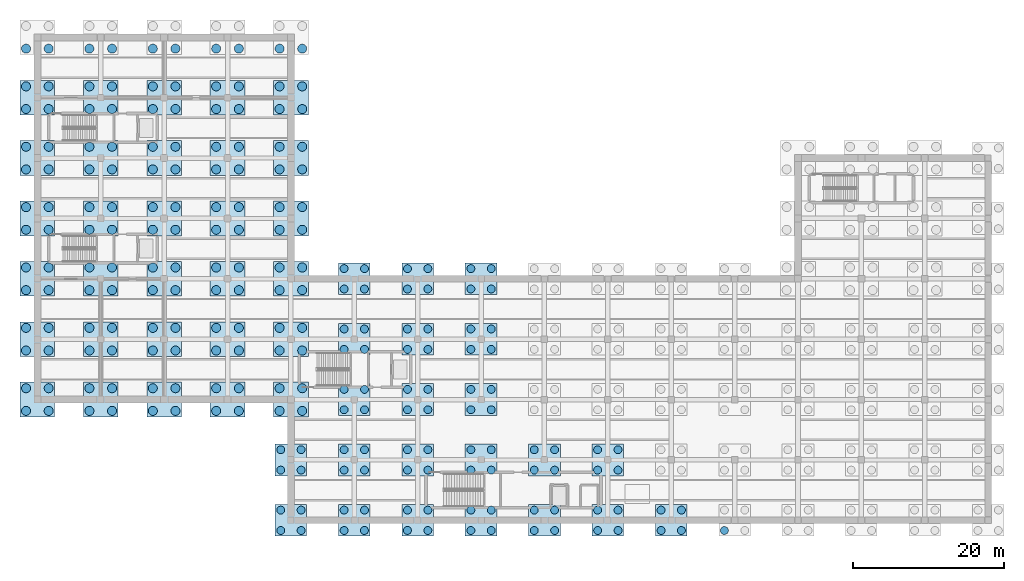
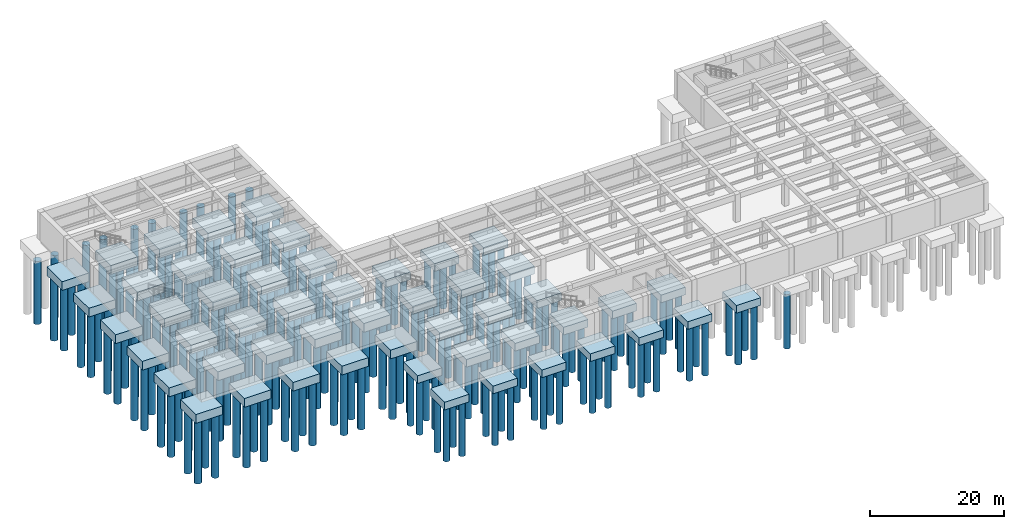
# One storey, part 1 of 12: 219 piles, 52 footings.
"""IFC4 building model written with IfcOpenShell, lengths in metres."""

from ifc_helpers import new_model, si_unit, direction, frame, origin, origin_2d, place, context, subcontext, project, spatial, rectangle, circle, extrude, material, material_profile, profile_set, type_object, element, save


model = new_model("IFC4")

# Units and contexts
model_context = context("Model", 3, precision=1e-05, world=origin(), true_north=direction((0.0, 1.0)))
body_context = subcontext(model_context, "Body", "Model", "MODEL_VIEW")
ifc_project = project(units=[si_unit("LENGTHUNIT", "METRE"), si_unit("AREAUNIT", "SQUARE_METRE"), si_unit("VOLUMEUNIT", "CUBIC_METRE"), si_unit("PLANEANGLEUNIT", "RADIAN"), si_unit("MASSUNIT", "GRAM", prefix="KILO")], contexts=[model_context])

# Site, building, storey
site_placement = place(None, origin())
site = spatial("IfcSite", under=ifc_project, at=site_placement, CompositionType="ELEMENT")
building_placement = place(site_placement, origin())
building = spatial("IfcBuilding", under=site, at=building_placement, Name="Kranzveld Transit Interchange", CompositionType="ELEMENT")
storey_placement = place(building_placement, frame((0.0, 0.0, -10.8798828125)))
storey = spatial("IfcBuildingStorey", under=building, at=storey_placement, Name="B2", CompositionType="ELEMENT", Elevation=-10.8798828125)

# Piles
ifc_material_1 = material(Name="Concrete C40/50", Category="concrete")
ifc_material_profile_1 = material_profile(ifc_material_1, circle(Radius=0.52490234375, at=origin_2d()), Name="BORED PILE 1050")
ifc_profile_set_1 = profile_set([ifc_material_profile_1], Name="Concrete C40/50")
pile_type_1 = type_object("IfcPileType", Name="Pile Bored 1050 C40/50", PredefinedType="BORED", material=ifc_profile_set_1)
for number, where, z_axis, x_axis, name in (
    (1, (32.25, 30.64990234375, -2.2001953125), (0.0, 0.0, -1.0), (1.0, 0.0, 0.0), "Bored Pile 05/E-P1"),
    (2, (34.949951171875, 30.64990234375, -2.2001953125), (0.0, 0.0, -1.0), (1.0, 0.0, 0.0), "Bored Pile 05/E-P2"),
    (3, (32.25, 33.35009765625, -2.2001953125), (0.0, 0.0, -1.0), (1.0, 0.0, 0.0), "Bored Pile 05/E-P3"),
    (4, (34.949951171875, 33.35009765625, -2.2001953125), (0.0, 0.0, -1.0), (1.0, 0.0, 0.0), "Bored Pile 05/E-P4"),
    (5, (32.25, 38.64990234375, -2.2001953125), (0.0, 0.0, -1.0), (1.0, 0.0, 0.0), "Bored Pile 05/F-P1"),
    (6, (34.949951171875, 38.64990234375, -2.2001953125), (0.0, 0.0, -1.0), (1.0, 0.0, 0.0), "Bored Pile 05/F-P2"),
    (7, (32.25, 41.35009765625, -2.2001953125), (0.0, 0.0, -1.0), (1.0, 0.0, 0.0), "Bored Pile 05/F-P3"),
    (8, (34.949951171875, 41.35009765625, -2.2001953125), (0.0, 0.0, -1.0), (1.0, 0.0, 0.0), "Bored Pile 05/F-P4"),
    (9, (40.64990234375, 30.64990234375, -2.2001953125), (0.0, 0.0, -1.0), (1.0, 0.0, 0.0), "Bored Pile 06/E-P1"),
    (10, (43.35009765625, 30.64990234375, -2.2001953125), (0.0, 0.0, -1.0), (1.0, 0.0, 0.0), "Bored Pile 06/E-P2"),
    (11, (40.64990234375, 33.35009765625, -2.2001953125), (0.0, 0.0, -1.0), (1.0, 0.0, 0.0), "Bored Pile 06/E-P3"),
    (12, (43.35009765625, 33.35009765625, -2.2001953125), (0.0, 0.0, -1.0), (1.0, 0.0, 0.0), "Bored Pile 06/E-P4"),
    (13, (40.64990234375, 38.64990234375, -2.2001953125), (0.0, 0.0, -1.0), (1.0, 0.0, 0.0), "Bored Pile 06/F-P1"),
    (14, (43.35009765625, 38.64990234375, -2.2001953125), (0.0, 0.0, -1.0), (1.0, 0.0, 0.0), "Bored Pile 06/F-P2"),
    (15, (40.64990234375, 41.35009765625, -2.2001953125), (0.0, 0.0, -1.0), (1.0, 0.0, 0.0), "Bored Pile 06/F-P3"),
    (16, (43.35009765625, 41.35009765625, -2.2001953125), (0.0, 0.0, -1.0), (1.0, 0.0, 0.0), "Bored Pile 06/F-P4"),
    (17, (40.64990234375, 46.64990234375, -2.2001953125), (0.0, 0.0, -1.0), (1.0, 0.0, 0.0), "Bored Pile 06/G-P1"),
    (18, (43.35009765625, 46.64990234375, -2.2001953125), (0.0, 0.0, -1.0), (1.0, 0.0, 0.0), "Bored Pile 06/G-P2"),
    (19, (40.64990234375, 49.35009765625, -2.2001953125), (0.0, 0.0, -1.0), (1.0, 0.0, 0.0), "Bored Pile 06/G-P3"),
    (20, (43.35009765625, 49.35009765625, -2.2001953125), (0.0, 0.0, -1.0), (1.0, 0.0, 0.0), "Bored Pile 06/G-P4"),
    (21, (40.64990234375, 54.64990234375, -2.2001953125), (0.0, 0.0, -1.0), (1.0, 0.0, 0.0), "Bored Pile 06/H-P1"),
    (22, (43.35009765625, 54.64990234375, -2.2001953125), (0.0, 0.0, -1.0), (1.0, 0.0, 0.0), "Bored Pile 06/H-P2"),
    (23, (40.64990234375, 57.35009765625, -2.2001953125), (0.0, 0.0, -1.0), (1.0, 0.0, 0.0), "Bored Pile 06/H-P3"),
    (24, (43.35009765625, 57.35009765625, -2.2001953125), (0.0, 0.0, -1.0), (1.0, 0.0, 0.0), "Bored Pile 06/H-P4"),
    (25, (40.64990234375, 62.64990234375, -2.2001953125), (0.0, 0.0, -1.0), (1.0, 0.0, 0.0), "Bored Pile 06/J-P1"),
    (26, (43.35009765625, 62.64990234375, -2.2001953125), (0.0, 0.0, -1.0), (1.0, 0.0, 0.0), "Bored Pile 06/J-P2"),
    (27, (40.64990234375, 65.35009765625, -2.2001953125), (0.0, 0.0, -1.0), (1.0, 0.0, 0.0), "Bored Pile 06/J-P3"),
    (28, (43.35009765625, 65.35009765625, -2.2001953125), (0.0, 0.0, -1.0), (1.0, 0.0, 0.0), "Bored Pile 06/J-P4"),
    (29, (49.050048828125, 30.64990234375, -2.2001953125), (0.0, 0.0, -1.0), (1.0, 0.0, 0.0), "Bored Pile 07/E-P1"),
    (30, (51.75, 30.64990234375, -2.2001953125), (0.0, 0.0, -1.0), (1.0, 0.0, 0.0), "Bored Pile 07/E-P2"),
    (31, (49.050048828125, 33.35009765625, -2.2001953125), (0.0, 0.0, -1.0), (1.0, 0.0, 0.0), "Bored Pile 07/E-P3"),
    (32, (51.75, 33.35009765625, -2.2001953125), (0.0, 0.0, -1.0), (1.0, 0.0, 0.0), "Bored Pile 07/E-P4"),
    (33, (49.050048828125, 38.64990234375, -2.2001953125), (0.0, 0.0, -1.0), (1.0, 0.0, 0.0), "Bored Pile 07/F-P1"),
    (34, (51.75, 38.64990234375, -2.2001953125), (0.0, 0.0, -1.0), (1.0, 0.0, 0.0), "Bored Pile 07/F-P2"),
    (35, (49.050048828125, 41.35009765625, -2.2001953125), (0.0, 0.0, -1.0), (1.0, 0.0, 0.0), "Bored Pile 07/F-P3"),
    (36, (51.75, 41.35009765625, -2.2001953125), (0.0, 0.0, -1.0), (1.0, 0.0, 0.0), "Bored Pile 07/F-P4"),
    (37, (49.050048828125, 46.64990234375, -2.2001953125), (0.0, 0.0, -1.0), (1.0, 0.0, 0.0), "Bored Pile 07/G-P1"),
    (38, (51.75, 46.64990234375, -2.2001953125), (0.0, 0.0, -1.0), (1.0, 0.0, 0.0), "Bored Pile 07/G-P2"),
    (39, (49.050048828125, 49.35009765625, -2.2001953125), (0.0, 0.0, -1.0), (1.0, 0.0, 0.0), "Bored Pile 07/G-P3"),
    (40, (51.75, 49.35009765625, -2.2001953125), (0.0, 0.0, -1.0), (1.0, 0.0, 0.0), "Bored Pile 07/G-P4"),
    (41, (49.050048828125, 54.64990234375, -2.2001953125), (0.0, 0.0, -1.0), (1.0, 0.0, 0.0), "Bored Pile 07/H-P1"),
    (42, (51.75, 54.64990234375, -2.2001953125), (0.0, 0.0, -1.0), (1.0, 0.0, 0.0), "Bored Pile 07/H-P2"),
    (43, (49.050048828125, 57.35009765625, -2.2001953125), (0.0, 0.0, -1.0), (1.0, 0.0, 0.0), "Bored Pile 07/H-P3"),
    (44, (51.75, 57.35009765625, -2.2001953125), (0.0, 0.0, -1.0), (1.0, 0.0, 0.0), "Bored Pile 07/H-P4"),
    (45, (49.050048828125, 62.64990234375, -2.2001953125), (0.0, 0.0, -1.0), (1.0, 0.0, 0.0), "Bored Pile 07/J-P1"),
    (46, (51.75, 62.64990234375, -2.2001953125), (0.0, 0.0, -1.0), (1.0, 0.0, 0.0), "Bored Pile 07/J-P2"),
    (47, (49.050048828125, 65.35009765625, -2.2001953125), (0.0, 0.0, -1.0), (1.0, 0.0, 0.0), "Bored Pile 07/J-P3"),
    (48, (51.75, 65.35009765625, -2.2001953125), (0.0, 0.0, -1.0), (1.0, 0.0, 0.0), "Bored Pile 07/J-P4"),
    (49, (57.449951171875, 30.64990234375, -2.2001953125), (0.0, 0.0, -1.0), (1.0, 0.0, 0.0), "Bored Pile 08/E-P1"),
    (50, (60.14990234375, 30.64990234375, -2.2001953125), (0.0, 0.0, -1.0), (1.0, 0.0, 0.0), "Bored Pile 08/E-P2"),
    (51, (57.449951171875, 33.35009765625, -2.2001953125), (0.0, 0.0, -1.0), (1.0, 0.0, 0.0), "Bored Pile 08/E-P3"),
    (52, (60.14990234375, 33.35009765625, -2.2001953125), (0.0, 0.0, -1.0), (1.0, 0.0, 0.0), "Bored Pile 08/E-P4"),
    (53, (57.449951171875, 38.64990234375, -2.2001953125), (0.0, 0.0, -1.0), (1.0, 0.0, 0.0), "Bored Pile 08/F-P1"),
    (54, (60.14990234375, 38.64990234375, -2.2001953125), (0.0, 0.0, -1.0), (1.0, 0.0, 0.0), "Bored Pile 08/F-P2"),
    (55, (57.449951171875, 41.35009765625, -2.2001953125), (0.0, 0.0, -1.0), (1.0, 0.0, 0.0), "Bored Pile 08/F-P3"),
    (56, (60.14990234375, 41.35009765625, -2.2001953125), (0.0, 0.0, -1.0), (1.0, 0.0, 0.0), "Bored Pile 08/F-P4"),
    (57, (57.449951171875, 46.64990234375, -2.2001953125), (0.0, 0.0, -1.0), (1.0, 0.0, 0.0), "Bored Pile 08/G-P1"),
    (58, (60.14990234375, 46.64990234375, -2.2001953125), (0.0, 0.0, -1.0), (1.0, 0.0, 0.0), "Bored Pile 08/G-P2"),
    (59, (57.449951171875, 49.35009765625, -2.2001953125), (0.0, 0.0, -1.0), (1.0, 0.0, 0.0), "Bored Pile 08/G-P3"),
    (60, (60.14990234375, 49.35009765625, -2.2001953125), (0.0, 0.0, -1.0), (1.0, 0.0, 0.0), "Bored Pile 08/G-P4"),
    (61, (57.449951171875, 54.64990234375, -2.2001953125), (0.0, 0.0, -1.0), (1.0, 0.0, 0.0), "Bored Pile 08/H-P1"),
    (62, (60.14990234375, 54.64990234375, -2.2001953125), (0.0, 0.0, -1.0), (1.0, 0.0, 0.0), "Bored Pile 08/H-P2"),
    (63, (57.449951171875, 57.35009765625, -2.2001953125), (0.0, 0.0, -1.0), (1.0, 0.0, 0.0), "Bored Pile 08/H-P3"),
    (64, (60.14990234375, 57.35009765625, -2.2001953125), (0.0, 0.0, -1.0), (1.0, 0.0, 0.0), "Bored Pile 08/H-P4"),
    (65, (57.449951171875, 62.64990234375, -2.2001953125), (0.0, 0.0, -1.0), (1.0, 0.0, 0.0), "Bored Pile 08/J-P1"),
    (66, (60.14990234375, 62.64990234375, -2.2001953125), (0.0, 0.0, -1.0), (1.0, 0.0, 0.0), "Bored Pile 08/J-P2"),
    (67, (57.449951171875, 65.35009765625, -2.2001953125), (0.0, 0.0, -1.0), (1.0, 0.0, 0.0), "Bored Pile 08/J-P3"),
    (68, (60.14990234375, 65.35009765625, -2.2001953125), (0.0, 0.0, -1.0), (1.0, 0.0, 0.0), "Bored Pile 08/J-P4"),
    (69, (65.85009765625, 30.64990234375, -2.2001953125), (0.0, 0.0, -1.0), (1.0, 0.0, 0.0), "Bored Pile 09/E-P1"),
    (70, (68.550048828125, 30.64990234375, -2.2001953125), (0.0, 0.0, -1.0), (1.0, 0.0, 0.0), "Bored Pile 09/E-P2"),
    (71, (65.85009765625, 33.35009765625, -2.2001953125), (0.0, 0.0, -1.0), (1.0, 0.0, 0.0), "Bored Pile 09/E-P3"),
    (72, (68.550048828125, 33.35009765625, -2.2001953125), (0.0, 0.0, -1.0), (1.0, 0.0, 0.0), "Bored Pile 09/E-P4"),
    (73, (65.85009765625, 38.64990234375, -2.2001953125), (0.0, 0.0, -1.0), (1.0, 0.0, 0.0), "Bored Pile 09/F-P1"),
    (74, (68.550048828125, 38.64990234375, -2.2001953125), (0.0, 0.0, -1.0), (1.0, 0.0, 0.0), "Bored Pile 09/F-P2"),
    (75, (65.85009765625, 41.35009765625, -2.2001953125), (0.0, 0.0, -1.0), (1.0, 0.0, 0.0), "Bored Pile 09/F-P3"),
    (76, (68.550048828125, 41.35009765625, -2.2001953125), (0.0, 0.0, -1.0), (1.0, 0.0, 0.0), "Bored Pile 09/F-P4"),
    (77, (74.25, 30.64990234375, -2.2001953125), (0.0, 0.0, -1.0), (1.0, 0.0, 0.0), "Bored Pile 10/E-P1"),
    (78, (76.949951171875, 30.64990234375, -2.2001953125), (0.0, 0.0, -1.0), (1.0, 0.0, 0.0), "Bored Pile 10/E-P2"),
    (79, (74.25, 33.35009765625, -2.2001953125), (0.0, 0.0, -1.0), (1.0, 0.0, 0.0), "Bored Pile 10/E-P3"),
    (80, (76.949951171875, 33.35009765625, -2.2001953125), (0.0, 0.0, -1.0), (1.0, 0.0, 0.0), "Bored Pile 10/E-P4"),
    (81, (74.25, 38.64990234375, -2.2001953125), (0.0, 0.0, -1.0), (1.0, 0.0, 0.0), "Bored Pile 10/F-P1"),
    (82, (76.949951171875, 38.64990234375, -2.2001953125), (0.0, 0.0, -1.0), (1.0, 0.0, 0.0), "Bored Pile 10/F-P2"),
    (83, (74.25, 41.35009765625, -2.2001953125), (0.0, 0.0, -1.0), (1.0, 0.0, 0.0), "Bored Pile 10/F-P3"),
    (84, (76.949951171875, 41.35009765625, -2.2001953125), (0.0, 0.0, -1.0), (1.0, 0.0, 0.0), "Bored Pile 10/F-P4"),
    (85, (82.64990234375, 30.64990234375, -2.2001953125), (0.0, 0.0, -1.0), (1.0, 0.0, 0.0), "Bored Pile 11/E-P1"),
    (86, (85.35009765625, 30.64990234375, -2.2001953125), (0.0, 0.0, -1.0), (1.0, 0.0, 0.0), "Bored Pile 11/E-P2"),
    (87, (82.64990234375, 33.35009765625, -2.2001953125), (0.0, 0.0, -1.0), (1.0, 0.0, 0.0), "Bored Pile 11/E-P3"),
    (88, (85.35009765625, 33.35009765625, -2.2001953125), (0.0, 0.0, -1.0), (1.0, 0.0, 0.0), "Bored Pile 11/E-P4"),
    (89, (91.050048828125, 30.64990234375, -2.2001953125), (0.0, 0.0, -1.0), (1.0, 0.0, 0.0), "Bored Pile 12/E-P1"),
):
    element("IfcPile", number, at=place(storey_placement, frame(where, z_axis=z_axis, x_axis=x_axis)), inside=storey, type_object=pile_type_1, Name=name, PredefinedType="BORED", context=body_context, shape_type="SweptSolid", body=[
        extrude(circle(Radius=0.52490234375, at=origin_2d()), origin(), (0.0, 0.0, 1.0), 9.919921875),
    ])
ifc_material_2 = material(Name="Concrete C40/50", Category="concrete")
ifc_material_profile_2 = material_profile(ifc_material_2, circle(Radius=0.60009765625, at=origin_2d()), Name="BORED PILE 1200")
ifc_profile_set_2 = profile_set([ifc_material_profile_2], Name="Concrete C40/50")
pile_type_2 = type_object("IfcPileType", Name="Pile Bored 1200 C40/50", PredefinedType="BORED", material=ifc_profile_set_2)
for number, where, z_axis, x_axis, name in (
    (90, (-1.5, 46.5, -2.400146484375), (0.0, 0.0, -1.0), (1.0, 0.0, 0.0), "Bored Pile 01/G-P1"),
    (91, (1.5, 46.5, -2.400146484375), (0.0, 0.0, -1.0), (1.0, 0.0, 0.0), "Bored Pile 01/G-P2"),
    (92, (-1.5, 49.5, -2.400146484375), (0.0, 0.0, -1.0), (1.0, 0.0, 0.0), "Bored Pile 01/G-P3"),
    (93, (1.5, 49.5, -2.400146484375), (0.0, 0.0, -1.0), (1.0, 0.0, 0.0), "Bored Pile 01/G-P4"),
    (94, (-1.5, 54.5, -2.400146484375), (0.0, 0.0, -1.0), (1.0, 0.0, 0.0), "Bored Pile 01/H-P1"),
    (95, (1.5, 54.5, -2.400146484375), (0.0, 0.0, -1.0), (1.0, 0.0, 0.0), "Bored Pile 01/H-P2"),
    (96, (-1.5, 57.5, -2.400146484375), (0.0, 0.0, -1.0), (1.0, 0.0, 0.0), "Bored Pile 01/H-P3"),
    (97, (1.5, 57.5, -2.400146484375), (0.0, 0.0, -1.0), (1.0, 0.0, 0.0), "Bored Pile 01/H-P4"),
    (98, (-1.5, 62.5, -2.400146484375), (0.0, 0.0, -1.0), (1.0, 0.0, 0.0), "Bored Pile 01/J-P1"),
    (99, (1.5, 62.5, -2.400146484375), (0.0, 0.0, -1.0), (1.0, 0.0, 0.0), "Bored Pile 01/J-P2"),
    (100, (-1.5, 65.5, -2.400146484375), (0.0, 0.0, -1.0), (1.0, 0.0, 0.0), "Bored Pile 01/J-P3"),
    (101, (1.5, 65.5, -2.400146484375), (0.0, 0.0, -1.0), (1.0, 0.0, 0.0), "Bored Pile 01/J-P4"),
    (102, (-1.5, 70.5, -2.400146484375), (0.0, 0.0, -1.0), (1.0, 0.0, 0.0), "Bored Pile 01/K-P1"),
    (103, (1.5, 70.5, -2.400146484375), (0.0, 0.0, -1.0), (1.0, 0.0, 0.0), "Bored Pile 01/K-P2"),
    (104, (-1.5, 73.5, -2.400146484375), (0.0, 0.0, -1.0), (1.0, 0.0, 0.0), "Bored Pile 01/K-P3"),
    (105, (1.5, 73.5, -2.400146484375), (0.0, 0.0, -1.0), (1.0, 0.0, 0.0), "Bored Pile 01/K-P4"),
    (106, (-1.5, 78.5, -2.400146484375), (0.0, 0.0, -1.0), (1.0, 0.0, 0.0), "Bored Pile 01/L-P1"),
    (107, (1.5, 78.5, -2.400146484375), (0.0, 0.0, -1.0), (1.0, 0.0, 0.0), "Bored Pile 01/L-P2"),
    (108, (-1.5, 81.5, -2.400146484375), (0.0, 0.0, -1.0), (1.0, 0.0, 0.0), "Bored Pile 01/L-P3"),
    (109, (1.5, 81.5, -2.400146484375), (0.0, 0.0, -1.0), (1.0, 0.0, 0.0), "Bored Pile 01/L-P4"),
    (110, (-1.5, 86.5, -2.400146484375), (0.0, 0.0, -1.0), (1.0, 0.0, 0.0), "Bored Pile 01/M-P1"),
    (111, (1.5, 86.5, -2.400146484375), (0.0, 0.0, -1.0), (1.0, 0.0, 0.0), "Bored Pile 01/M-P2"),
    (112, (-1.5, 89.5, -2.400146484375), (0.0, 0.0, -1.0), (1.0, 0.0, 0.0), "Bored Pile 01/M-P3"),
    (113, (1.5, 89.5, -2.400146484375), (0.0, 0.0, -1.0), (1.0, 0.0, 0.0), "Bored Pile 01/M-P4"),
    (114, (-1.5, 94.5, -2.400146484375), (0.0, 0.0, -1.0), (1.0, 0.0, 0.0), "Bored Pile 01/N-P1"),
    (115, (1.5, 94.5, -2.400146484375), (0.0, 0.0, -1.0), (1.0, 0.0, 0.0), "Bored Pile 01/N-P2"),
    (116, (6.89990234375, 46.5, -2.400146484375), (0.0, 0.0, -1.0), (1.0, 0.0, 0.0), "Bored Pile 02/G-P1"),
    (117, (9.89990234375, 46.5, -2.400146484375), (0.0, 0.0, -1.0), (1.0, 0.0, 0.0), "Bored Pile 02/G-P2"),
    (118, (6.89990234375, 49.5, -2.400146484375), (0.0, 0.0, -1.0), (1.0, 0.0, 0.0), "Bored Pile 02/G-P3"),
    (119, (9.89990234375, 49.5, -2.400146484375), (0.0, 0.0, -1.0), (1.0, 0.0, 0.0), "Bored Pile 02/G-P4"),
    (120, (6.89990234375, 54.5, -2.400146484375), (0.0, 0.0, -1.0), (1.0, 0.0, 0.0), "Bored Pile 02/H-P1"),
    (121, (9.89990234375, 54.5, -2.400146484375), (0.0, 0.0, -1.0), (1.0, 0.0, 0.0), "Bored Pile 02/H-P2"),
    (122, (6.89990234375, 57.5, -2.400146484375), (0.0, 0.0, -1.0), (1.0, 0.0, 0.0), "Bored Pile 02/H-P3"),
    (123, (9.89990234375, 57.5, -2.400146484375), (0.0, 0.0, -1.0), (1.0, 0.0, 0.0), "Bored Pile 02/H-P4"),
    (124, (6.89990234375, 62.5, -2.400146484375), (0.0, 0.0, -1.0), (1.0, 0.0, 0.0), "Bored Pile 02/J-P1"),
    (125, (9.89990234375, 62.5, -2.400146484375), (0.0, 0.0, -1.0), (1.0, 0.0, 0.0), "Bored Pile 02/J-P2"),
    (126, (6.89990234375, 65.5, -2.400146484375), (0.0, 0.0, -1.0), (1.0, 0.0, 0.0), "Bored Pile 02/J-P3"),
    (127, (9.89990234375, 65.5, -2.400146484375), (0.0, 0.0, -1.0), (1.0, 0.0, 0.0), "Bored Pile 02/J-P4"),
    (128, (6.89990234375, 70.5, -2.400146484375), (0.0, 0.0, -1.0), (1.0, 0.0, 0.0), "Bored Pile 02/K-P1"),
    (129, (9.89990234375, 70.5, -2.400146484375), (0.0, 0.0, -1.0), (1.0, 0.0, 0.0), "Bored Pile 02/K-P2"),
    (130, (6.89990234375, 73.5, -2.400146484375), (0.0, 0.0, -1.0), (1.0, 0.0, 0.0), "Bored Pile 02/K-P3"),
    (131, (9.89990234375, 73.5, -2.400146484375), (0.0, 0.0, -1.0), (1.0, 0.0, 0.0), "Bored Pile 02/K-P4"),
    (132, (6.89990234375, 78.5, -2.400146484375), (0.0, 0.0, -1.0), (1.0, 0.0, 0.0), "Bored Pile 02/L-P1"),
    (133, (9.89990234375, 78.5, -2.400146484375), (0.0, 0.0, -1.0), (1.0, 0.0, 0.0), "Bored Pile 02/L-P2"),
    (134, (6.89990234375, 81.5, -2.400146484375), (0.0, 0.0, -1.0), (1.0, 0.0, 0.0), "Bored Pile 02/L-P3"),
    (135, (9.89990234375, 81.5, -2.400146484375), (0.0, 0.0, -1.0), (1.0, 0.0, 0.0), "Bored Pile 02/L-P4"),
    (136, (6.89990234375, 86.5, -2.400146484375), (0.0, 0.0, -1.0), (1.0, 0.0, 0.0), "Bored Pile 02/M-P1"),
    (137, (9.89990234375, 86.5, -2.400146484375), (0.0, 0.0, -1.0), (1.0, 0.0, 0.0), "Bored Pile 02/M-P2"),
    (138, (6.89990234375, 89.5, -2.400146484375), (0.0, 0.0, -1.0), (1.0, 0.0, 0.0), "Bored Pile 02/M-P3"),
    (139, (9.89990234375, 89.5, -2.400146484375), (0.0, 0.0, -1.0), (1.0, 0.0, 0.0), "Bored Pile 02/M-P4"),
    (140, (6.89990234375, 94.5, -2.400146484375), (0.0, 0.0, -1.0), (1.0, 0.0, 0.0), "Bored Pile 02/N-P1"),
    (141, (9.89990234375, 94.5, -2.400146484375), (0.0, 0.0, -1.0), (1.0, 0.0, 0.0), "Bored Pile 02/N-P2"),
    (142, (15.300048828125, 46.5, -2.400146484375), (0.0, 0.0, -1.0), (1.0, 0.0, 0.0), "Bored Pile 03/G-P1"),
    (143, (18.300048828125, 46.5, -2.400146484375), (0.0, 0.0, -1.0), (1.0, 0.0, 0.0), "Bored Pile 03/G-P2"),
    (144, (15.300048828125, 49.5, -2.400146484375), (0.0, 0.0, -1.0), (1.0, 0.0, 0.0), "Bored Pile 03/G-P3"),
    (145, (18.300048828125, 49.5, -2.400146484375), (0.0, 0.0, -1.0), (1.0, 0.0, 0.0), "Bored Pile 03/G-P4"),
    (146, (15.300048828125, 54.5, -2.400146484375), (0.0, 0.0, -1.0), (1.0, 0.0, 0.0), "Bored Pile 03/H-P1"),
    (147, (18.300048828125, 54.5, -2.400146484375), (0.0, 0.0, -1.0), (1.0, 0.0, 0.0), "Bored Pile 03/H-P2"),
    (148, (15.300048828125, 57.5, -2.400146484375), (0.0, 0.0, -1.0), (1.0, 0.0, 0.0), "Bored Pile 03/H-P3"),
    (149, (18.300048828125, 57.5, -2.400146484375), (0.0, 0.0, -1.0), (1.0, 0.0, 0.0), "Bored Pile 03/H-P4"),
    (150, (15.300048828125, 62.5, -2.400146484375), (0.0, 0.0, -1.0), (1.0, 0.0, 0.0), "Bored Pile 03/J-P1"),
    (151, (18.300048828125, 62.5, -2.400146484375), (0.0, 0.0, -1.0), (1.0, 0.0, 0.0), "Bored Pile 03/J-P2"),
    (152, (15.300048828125, 65.5, -2.400146484375), (0.0, 0.0, -1.0), (1.0, 0.0, 0.0), "Bored Pile 03/J-P3"),
    (153, (18.300048828125, 65.5, -2.400146484375), (0.0, 0.0, -1.0), (1.0, 0.0, 0.0), "Bored Pile 03/J-P4"),
    (154, (15.300048828125, 70.5, -2.400146484375), (0.0, 0.0, -1.0), (1.0, 0.0, 0.0), "Bored Pile 03/K-P1"),
    (155, (18.300048828125, 70.5, -2.400146484375), (0.0, 0.0, -1.0), (1.0, 0.0, 0.0), "Bored Pile 03/K-P2"),
    (156, (15.300048828125, 73.5, -2.400146484375), (0.0, 0.0, -1.0), (1.0, 0.0, 0.0), "Bored Pile 03/K-P3"),
    (157, (18.300048828125, 73.5, -2.400146484375), (0.0, 0.0, -1.0), (1.0, 0.0, 0.0), "Bored Pile 03/K-P4"),
    (158, (15.300048828125, 78.5, -2.400146484375), (0.0, 0.0, -1.0), (1.0, 0.0, 0.0), "Bored Pile 03/L-P1"),
    (159, (18.300048828125, 78.5, -2.400146484375), (0.0, 0.0, -1.0), (1.0, 0.0, 0.0), "Bored Pile 03/L-P2"),
    (160, (15.300048828125, 81.5, -2.400146484375), (0.0, 0.0, -1.0), (1.0, 0.0, 0.0), "Bored Pile 03/L-P3"),
    (161, (18.300048828125, 81.5, -2.400146484375), (0.0, 0.0, -1.0), (1.0, 0.0, 0.0), "Bored Pile 03/L-P4"),
    (162, (15.300048828125, 86.5, -2.400146484375), (0.0, 0.0, -1.0), (1.0, 0.0, 0.0), "Bored Pile 03/M-P1"),
    (163, (18.300048828125, 86.5, -2.400146484375), (0.0, 0.0, -1.0), (1.0, 0.0, 0.0), "Bored Pile 03/M-P2"),
    (164, (15.300048828125, 89.5, -2.400146484375), (0.0, 0.0, -1.0), (1.0, 0.0, 0.0), "Bored Pile 03/M-P3"),
    (165, (18.300048828125, 89.5, -2.400146484375), (0.0, 0.0, -1.0), (1.0, 0.0, 0.0), "Bored Pile 03/M-P4"),
    (166, (15.300048828125, 94.5, -2.400146484375), (0.0, 0.0, -1.0), (1.0, 0.0, 0.0), "Bored Pile 03/N-P1"),
    (167, (18.300048828125, 94.5, -2.400146484375), (0.0, 0.0, -1.0), (1.0, 0.0, 0.0), "Bored Pile 03/N-P2"),
    (168, (23.699951171875, 46.5, -2.400146484375), (0.0, 0.0, -1.0), (1.0, 0.0, 0.0), "Bored Pile 04/G-P1"),
    (169, (26.699951171875, 46.5, -2.400146484375), (0.0, 0.0, -1.0), (1.0, 0.0, 0.0), "Bored Pile 04/G-P2"),
    (170, (23.699951171875, 49.5, -2.400146484375), (0.0, 0.0, -1.0), (1.0, 0.0, 0.0), "Bored Pile 04/G-P3"),
    (171, (26.699951171875, 49.5, -2.400146484375), (0.0, 0.0, -1.0), (1.0, 0.0, 0.0), "Bored Pile 04/G-P4"),
    (172, (23.699951171875, 54.5, -2.400146484375), (0.0, 0.0, -1.0), (1.0, 0.0, 0.0), "Bored Pile 04/H-P1"),
    (173, (26.699951171875, 54.5, -2.400146484375), (0.0, 0.0, -1.0), (1.0, 0.0, 0.0), "Bored Pile 04/H-P2"),
    (174, (23.699951171875, 57.5, -2.400146484375), (0.0, 0.0, -1.0), (1.0, 0.0, 0.0), "Bored Pile 04/H-P3"),
    (175, (26.699951171875, 57.5, -2.400146484375), (0.0, 0.0, -1.0), (1.0, 0.0, 0.0), "Bored Pile 04/H-P4"),
    (176, (23.699951171875, 62.5, -2.400146484375), (0.0, 0.0, -1.0), (1.0, 0.0, 0.0), "Bored Pile 04/J-P1"),
    (177, (26.699951171875, 62.5, -2.400146484375), (0.0, 0.0, -1.0), (1.0, 0.0, 0.0), "Bored Pile 04/J-P2"),
    (178, (23.699951171875, 65.5, -2.400146484375), (0.0, 0.0, -1.0), (1.0, 0.0, 0.0), "Bored Pile 04/J-P3"),
    (179, (26.699951171875, 65.5, -2.400146484375), (0.0, 0.0, -1.0), (1.0, 0.0, 0.0), "Bored Pile 04/J-P4"),
    (180, (23.699951171875, 70.5, -2.400146484375), (0.0, 0.0, -1.0), (1.0, 0.0, 0.0), "Bored Pile 04/K-P1"),
    (181, (26.699951171875, 70.5, -2.400146484375), (0.0, 0.0, -1.0), (1.0, 0.0, 0.0), "Bored Pile 04/K-P2"),
    (182, (23.699951171875, 73.5, -2.400146484375), (0.0, 0.0, -1.0), (1.0, 0.0, 0.0), "Bored Pile 04/K-P3"),
    (183, (26.699951171875, 73.5, -2.400146484375), (0.0, 0.0, -1.0), (1.0, 0.0, 0.0), "Bored Pile 04/K-P4"),
    (184, (23.699951171875, 78.5, -2.400146484375), (0.0, 0.0, -1.0), (1.0, 0.0, 0.0), "Bored Pile 04/L-P1"),
    (185, (26.699951171875, 78.5, -2.400146484375), (0.0, 0.0, -1.0), (1.0, 0.0, 0.0), "Bored Pile 04/L-P2"),
    (186, (23.699951171875, 81.5, -2.400146484375), (0.0, 0.0, -1.0), (1.0, 0.0, 0.0), "Bored Pile 04/L-P3"),
    (187, (26.699951171875, 81.5, -2.400146484375), (0.0, 0.0, -1.0), (1.0, 0.0, 0.0), "Bored Pile 04/L-P4"),
    (188, (23.699951171875, 86.5, -2.400146484375), (0.0, 0.0, -1.0), (1.0, 0.0, 0.0), "Bored Pile 04/M-P1"),
    (189, (26.699951171875, 86.5, -2.400146484375), (0.0, 0.0, -1.0), (1.0, 0.0, 0.0), "Bored Pile 04/M-P2"),
    (190, (23.699951171875, 89.5, -2.400146484375), (0.0, 0.0, -1.0), (1.0, 0.0, 0.0), "Bored Pile 04/M-P3"),
    (191, (26.699951171875, 89.5, -2.400146484375), (0.0, 0.0, -1.0), (1.0, 0.0, 0.0), "Bored Pile 04/M-P4"),
    (192, (23.699951171875, 94.5, -2.400146484375), (0.0, 0.0, -1.0), (1.0, 0.0, 0.0), "Bored Pile 04/N-P1"),
    (193, (26.699951171875, 94.5, -2.400146484375), (0.0, 0.0, -1.0), (1.0, 0.0, 0.0), "Bored Pile 04/N-P2"),
    (194, (32.10009765625, 46.5, -2.400146484375), (0.0, 0.0, -1.0), (1.0, 0.0, 0.0), "Bored Pile 05/G-P1"),
    (195, (35.10009765625, 46.5, -2.400146484375), (0.0, 0.0, -1.0), (1.0, 0.0, 0.0), "Bored Pile 05/G-P2"),
    (196, (32.10009765625, 49.5, -2.400146484375), (0.0, 0.0, -1.0), (1.0, 0.0, 0.0), "Bored Pile 05/G-P3"),
    (197, (35.10009765625, 49.5, -2.400146484375), (0.0, 0.0, -1.0), (1.0, 0.0, 0.0), "Bored Pile 05/G-P4"),
    (198, (32.10009765625, 54.5, -2.400146484375), (0.0, 0.0, -1.0), (1.0, 0.0, 0.0), "Bored Pile 05/H-P1"),
    (199, (35.10009765625, 54.5, -2.400146484375), (0.0, 0.0, -1.0), (1.0, 0.0, 0.0), "Bored Pile 05/H-P2"),
    (200, (32.10009765625, 57.5, -2.400146484375), (0.0, 0.0, -1.0), (1.0, 0.0, 0.0), "Bored Pile 05/H-P3"),
    (201, (35.10009765625, 57.5, -2.400146484375), (0.0, 0.0, -1.0), (1.0, 0.0, 0.0), "Bored Pile 05/H-P4"),
    (202, (32.10009765625, 62.5, -2.400146484375), (0.0, 0.0, -1.0), (1.0, 0.0, 0.0), "Bored Pile 05/J-P1"),
    (203, (35.10009765625, 62.5, -2.400146484375), (0.0, 0.0, -1.0), (1.0, 0.0, 0.0), "Bored Pile 05/J-P2"),
    (204, (32.10009765625, 65.5, -2.400146484375), (0.0, 0.0, -1.0), (1.0, 0.0, 0.0), "Bored Pile 05/J-P3"),
    (205, (35.10009765625, 65.5, -2.400146484375), (0.0, 0.0, -1.0), (1.0, 0.0, 0.0), "Bored Pile 05/J-P4"),
    (206, (32.10009765625, 70.5, -2.400146484375), (0.0, 0.0, -1.0), (1.0, 0.0, 0.0), "Bored Pile 05/K-P1"),
    (207, (35.10009765625, 70.5, -2.400146484375), (0.0, 0.0, -1.0), (1.0, 0.0, 0.0), "Bored Pile 05/K-P2"),
    (208, (32.10009765625, 73.5, -2.400146484375), (0.0, 0.0, -1.0), (1.0, 0.0, 0.0), "Bored Pile 05/K-P3"),
    (209, (35.10009765625, 73.5, -2.400146484375), (0.0, 0.0, -1.0), (1.0, 0.0, 0.0), "Bored Pile 05/K-P4"),
    (210, (32.10009765625, 78.5, -2.400146484375), (0.0, 0.0, -1.0), (1.0, 0.0, 0.0), "Bored Pile 05/L-P1"),
    (211, (35.10009765625, 78.5, -2.400146484375), (0.0, 0.0, -1.0), (1.0, 0.0, 0.0), "Bored Pile 05/L-P2"),
    (212, (32.10009765625, 81.5, -2.400146484375), (0.0, 0.0, -1.0), (1.0, 0.0, 0.0), "Bored Pile 05/L-P3"),
    (213, (35.10009765625, 81.5, -2.400146484375), (0.0, 0.0, -1.0), (1.0, 0.0, 0.0), "Bored Pile 05/L-P4"),
    (214, (32.10009765625, 86.5, -2.400146484375), (0.0, 0.0, -1.0), (1.0, 0.0, 0.0), "Bored Pile 05/M-P1"),
    (215, (35.10009765625, 86.5, -2.400146484375), (0.0, 0.0, -1.0), (1.0, 0.0, 0.0), "Bored Pile 05/M-P2"),
    (216, (32.10009765625, 89.5, -2.400146484375), (0.0, 0.0, -1.0), (1.0, 0.0, 0.0), "Bored Pile 05/M-P3"),
    (217, (35.10009765625, 89.5, -2.400146484375), (0.0, 0.0, -1.0), (1.0, 0.0, 0.0), "Bored Pile 05/M-P4"),
    (218, (32.10009765625, 94.5, -2.400146484375), (0.0, 0.0, -1.0), (1.0, 0.0, 0.0), "Bored Pile 05/N-P1"),
    (219, (35.10009765625, 94.5, -2.400146484375), (0.0, 0.0, -1.0), (1.0, 0.0, 0.0), "Bored Pile 05/N-P2"),
):
    element("IfcPile", number, at=place(storey_placement, frame(where, z_axis=z_axis, x_axis=x_axis)), inside=storey, type_object=pile_type_2, Name=name, PredefinedType="BORED", context=body_context, shape_type="SweptSolid", body=[
        extrude(circle(Radius=0.60009765625, at=origin_2d()), origin(), (0.0, 0.0, 1.0), 11.52001953125),
    ])

# Footings
ifc_material_3 = material(Name="Concrete C40/50", Category="concrete")
footing_type_1 = type_object("IfcFootingType", Name="Pile Cap 4200x4200x1400 C40/50", PredefinedType="PILE_CAP", material=ifc_material_3)
for number, where, z_axis, x_axis, name in (
    (220, (33.60009765625, 32.0, -2.300048828125), (0.0, 0.0, 1.0), (1.0, 0.0, 0.0), "Pile Cap 05/E"),
    (221, (33.60009765625, 40.0, -2.300048828125), (0.0, 0.0, 1.0), (1.0, 0.0, 0.0), "Pile Cap 05/F"),
    (222, (42.0, 32.0, -2.300048828125), (0.0, 0.0, 1.0), (1.0, 0.0, 0.0), "Pile Cap 06/E"),
    (223, (42.0, 40.0, -2.300048828125), (0.0, 0.0, 1.0), (1.0, 0.0, 0.0), "Pile Cap 06/F"),
    (224, (42.0, 48.0, -2.300048828125), (0.0, 0.0, 1.0), (1.0, 0.0, 0.0), "Pile Cap 06/G"),
    (225, (42.0, 56.0, -2.300048828125), (0.0, 0.0, 1.0), (1.0, 0.0, 0.0), "Pile Cap 06/H"),
    (226, (42.0, 64.0, -2.300048828125), (0.0, 0.0, 1.0), (1.0, 0.0, 0.0), "Pile Cap 06/J"),
    (227, (50.39990234375, 32.0, -2.300048828125), (0.0, 0.0, 1.0), (1.0, 0.0, 0.0), "Pile Cap 07/E"),
    (228, (50.39990234375, 40.0, -2.300048828125), (0.0, 0.0, 1.0), (1.0, 0.0, 0.0), "Pile Cap 07/F"),
    (229, (50.39990234375, 48.0, -2.300048828125), (0.0, 0.0, 1.0), (1.0, 0.0, 0.0), "Pile Cap 07/G"),
    (230, (50.39990234375, 56.0, -2.300048828125), (0.0, 0.0, 1.0), (1.0, 0.0, 0.0), "Pile Cap 07/H"),
    (231, (50.39990234375, 64.0, -2.300048828125), (0.0, 0.0, 1.0), (1.0, 0.0, 0.0), "Pile Cap 07/J"),
    (232, (58.800048828125, 32.0, -2.300048828125), (0.0, 0.0, 1.0), (1.0, 0.0, 0.0), "Pile Cap 08/E"),
    (233, (58.800048828125, 40.0, -2.300048828125), (0.0, 0.0, 1.0), (1.0, 0.0, 0.0), "Pile Cap 08/F"),
    (234, (58.800048828125, 48.0, -2.300048828125), (0.0, 0.0, 1.0), (1.0, 0.0, 0.0), "Pile Cap 08/G"),
    (235, (58.800048828125, 56.0, -2.300048828125), (0.0, 0.0, 1.0), (1.0, 0.0, 0.0), "Pile Cap 08/H"),
    (236, (58.800048828125, 64.0, -2.300048828125), (0.0, 0.0, 1.0), (1.0, 0.0, 0.0), "Pile Cap 08/J"),
    (237, (67.199951171875, 32.0, -2.300048828125), (0.0, 0.0, 1.0), (1.0, 0.0, 0.0), "Pile Cap 09/E"),
    (238, (67.199951171875, 40.0, -2.300048828125), (0.0, 0.0, 1.0), (1.0, 0.0, 0.0), "Pile Cap 09/F"),
    (239, (75.60009765625, 32.0, -2.300048828125), (0.0, 0.0, 1.0), (1.0, 0.0, 0.0), "Pile Cap 10/E"),
    (240, (75.60009765625, 40.0, -2.300048828125), (0.0, 0.0, 1.0), (1.0, 0.0, 0.0), "Pile Cap 10/F"),
    (241, (84.0, 32.0, -2.300048828125), (0.0, 0.0, 1.0), (1.0, 0.0, 0.0), "Pile Cap 11/E"),
):
    element("IfcFooting", number, at=place(storey_placement, frame(where, z_axis=z_axis, x_axis=x_axis)), inside=storey, type_object=footing_type_1, Name=name, PredefinedType="PILE_CAP", context=body_context, shape_type="SweptSolid", body=[
        extrude(rectangle(XDim=4.199951171875, YDim=4.199951171875, at=origin_2d()), origin(), (0.0, 0.0, 1.0), 1.39990234375),
    ])
ifc_material_4 = material(Name="Concrete C40/50", Category="concrete")
footing_type_2 = type_object("IfcFootingType", Name="Pile Cap 4600x4600x1600 C40/50", PredefinedType="PILE_CAP", material=ifc_material_4)
for number, where, z_axis, x_axis, name in (
    (242, (0.0, 48.0, -2.500244140625), (0.0, 0.0, 1.0), (1.0, 0.0, 0.0), "Pile Cap 01/G"),
    (243, (0.0, 56.0, -2.500244140625), (0.0, 0.0, 1.0), (1.0, 0.0, 0.0), "Pile Cap 01/H"),
    (244, (0.0, 64.0, -2.500244140625), (0.0, 0.0, 1.0), (1.0, 0.0, 0.0), "Pile Cap 01/J"),
    (245, (0.0, 72.0, -2.500244140625), (0.0, 0.0, 1.0), (1.0, 0.0, 0.0), "Pile Cap 01/K"),
    (246, (0.0, 80.0, -2.500244140625), (0.0, 0.0, 1.0), (1.0, 0.0, 0.0), "Pile Cap 01/L"),
    (247, (0.0, 88.0, -2.500244140625), (0.0, 0.0, 1.0), (1.0, 0.0, 0.0), "Pile Cap 01/M"),
    (248, (8.39990234375, 48.0, -2.500244140625), (0.0, 0.0, 1.0), (1.0, 0.0, 0.0), "Pile Cap 02/G"),
    (249, (8.39990234375, 56.0, -2.500244140625), (0.0, 0.0, 1.0), (1.0, 0.0, 0.0), "Pile Cap 02/H"),
    (250, (8.39990234375, 64.0, -2.500244140625), (0.0, 0.0, 1.0), (1.0, 0.0, 0.0), "Pile Cap 02/J"),
    (251, (8.39990234375, 72.0, -2.500244140625), (0.0, 0.0, 1.0), (1.0, 0.0, 0.0), "Pile Cap 02/K"),
    (252, (8.39990234375, 80.0, -2.500244140625), (0.0, 0.0, 1.0), (1.0, 0.0, 0.0), "Pile Cap 02/L"),
    (253, (8.39990234375, 88.0, -2.500244140625), (0.0, 0.0, 1.0), (1.0, 0.0, 0.0), "Pile Cap 02/M"),
    (254, (16.800048828125, 48.0, -2.500244140625), (0.0, 0.0, 1.0), (1.0, 0.0, 0.0), "Pile Cap 03/G"),
    (255, (16.800048828125, 56.0, -2.500244140625), (0.0, 0.0, 1.0), (1.0, 0.0, 0.0), "Pile Cap 03/H"),
    (256, (16.800048828125, 64.0, -2.500244140625), (0.0, 0.0, 1.0), (1.0, 0.0, 0.0), "Pile Cap 03/J"),
    (257, (16.800048828125, 72.0, -2.500244140625), (0.0, 0.0, 1.0), (1.0, 0.0, 0.0), "Pile Cap 03/K"),
    (258, (16.800048828125, 80.0, -2.500244140625), (0.0, 0.0, 1.0), (1.0, 0.0, 0.0), "Pile Cap 03/L"),
    (259, (16.800048828125, 88.0, -2.500244140625), (0.0, 0.0, 1.0), (1.0, 0.0, 0.0), "Pile Cap 03/M"),
    (260, (25.199951171875, 48.0, -2.500244140625), (0.0, 0.0, 1.0), (1.0, 0.0, 0.0), "Pile Cap 04/G"),
    (261, (25.199951171875, 56.0, -2.500244140625), (0.0, 0.0, 1.0), (1.0, 0.0, 0.0), "Pile Cap 04/H"),
    (262, (25.199951171875, 64.0, -2.500244140625), (0.0, 0.0, 1.0), (1.0, 0.0, 0.0), "Pile Cap 04/J"),
    (263, (25.199951171875, 72.0, -2.500244140625), (0.0, 0.0, 1.0), (1.0, 0.0, 0.0), "Pile Cap 04/K"),
    (264, (25.199951171875, 80.0, -2.500244140625), (0.0, 0.0, 1.0), (1.0, 0.0, 0.0), "Pile Cap 04/L"),
    (265, (25.199951171875, 88.0, -2.500244140625), (0.0, 0.0, 1.0), (1.0, 0.0, 0.0), "Pile Cap 04/M"),
    (266, (33.60009765625, 48.0, -2.500244140625), (0.0, 0.0, 1.0), (1.0, 0.0, 0.0), "Pile Cap 05/G"),
    (267, (33.60009765625, 56.0, -2.500244140625), (0.0, 0.0, 1.0), (1.0, 0.0, 0.0), "Pile Cap 05/H"),
    (268, (33.60009765625, 64.0, -2.500244140625), (0.0, 0.0, 1.0), (1.0, 0.0, 0.0), "Pile Cap 05/J"),
    (269, (33.60009765625, 72.0, -2.500244140625), (0.0, 0.0, 1.0), (1.0, 0.0, 0.0), "Pile Cap 05/K"),
    (270, (33.60009765625, 80.0, -2.500244140625), (0.0, 0.0, 1.0), (1.0, 0.0, 0.0), "Pile Cap 05/L"),
    (271, (33.60009765625, 88.0, -2.500244140625), (0.0, 0.0, 1.0), (1.0, 0.0, 0.0), "Pile Cap 05/M"),
):
    element("IfcFooting", number, at=place(storey_placement, frame(where, z_axis=z_axis, x_axis=x_axis)), inside=storey, type_object=footing_type_2, Name=name, PredefinedType="PILE_CAP", context=body_context, shape_type="SweptSolid", body=[
        extrude(rectangle(XDim=4.60009765625, YDim=4.60009765625, at=origin_2d()), origin(), (0.0, 0.0, 1.0), 1.60009765625),
    ])

save(model, "model.ifc")
